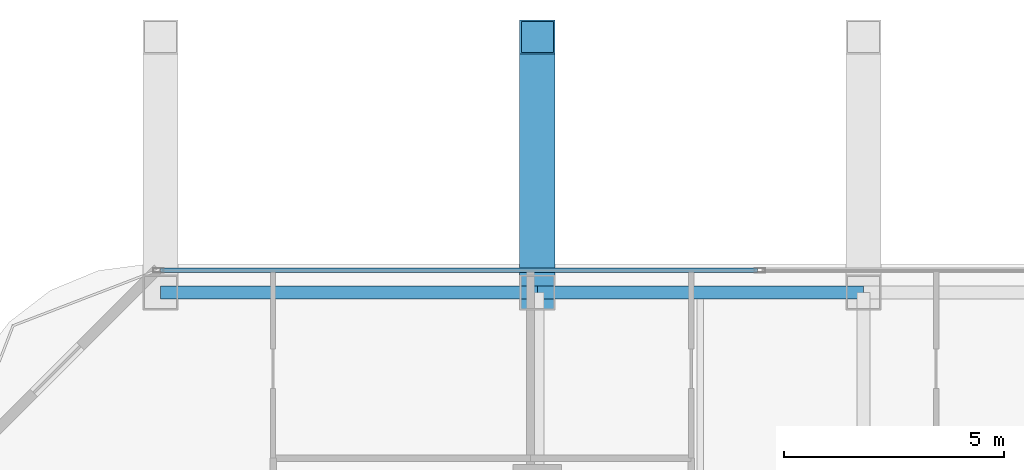
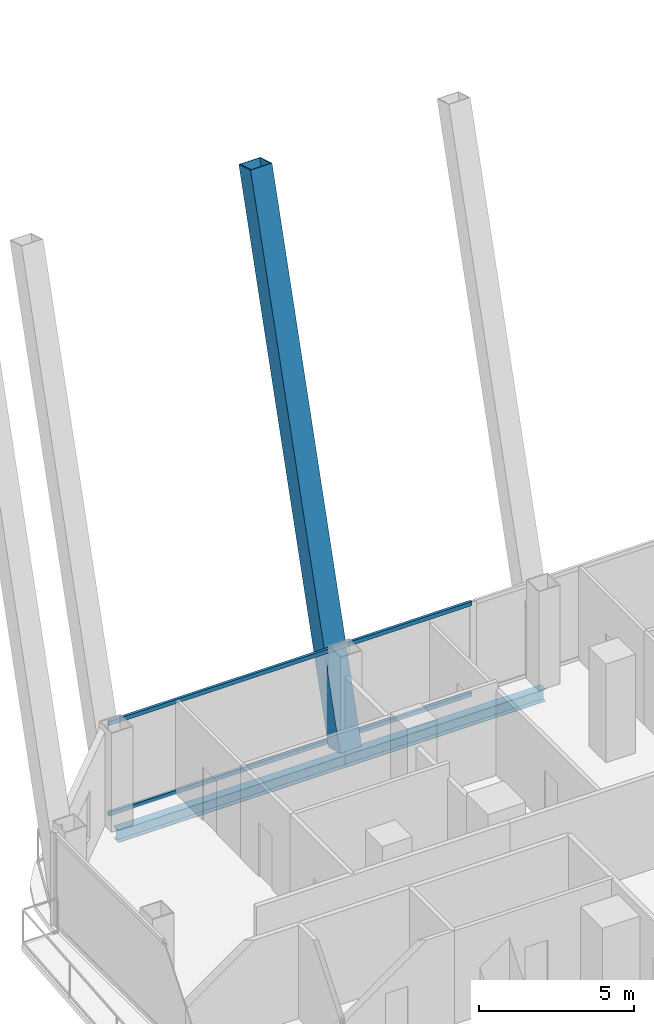
# One storey, part 16 of 33: 3 members, 2 beams, 1 element without a shape of its own.
"""IFC4 building model written with IfcOpenShell, lengths in metres."""

import ifcopenshell
import ifcopenshell.guid

model = None  # the IFC model being written
_history = None  # IfcOwnerHistory: only IFC2X3 demands one
_inside = {}  # id of a spatial element -> (the spatial element, [elements in it])
_under = {}  # id of a project, library or spatial element -> (it, [spatial elements below it])
_declared = {}  # id of a project -> (the project, [libraries it declares])
_typed = {}  # id of a type object -> (the type object, [elements of that type])
_made_of = {}  # id of a material, layer set ... -> (it, [elements and type objects made of it])


def new_model(schema):
    """Start an empty IFC model of exactly this schema.

    Asked for "IFC4X3", IfcOpenShell would pick the latest addendum, in which some entities
    have other attributes; the version numbers below select the first issue.
    IFC2X3 requires an IfcOwnerHistory on every rooted entity: one is made here for all.
    """
    global model, _history
    if schema == "IFC4X3":
        model = ifcopenshell.file(schema_version=(4, 3, 0, 0))
    else:
        model = ifcopenshell.file(schema=schema)
    _inside.clear()
    _under.clear()
    _declared.clear()
    _typed.clear()
    _made_of.clear()
    _history = None
    if model.schema == "IFC2X3":
        org = make("IfcOrganization", Name="unknown")
        user = make(
            "IfcPersonAndOrganization",
            ThePerson=make("IfcPerson", FamilyName="unknown"),
            TheOrganization=org,
        )
        app = make(
            "IfcApplication",
            ApplicationDeveloper=org,
            Version="unknown",
            ApplicationFullName="unknown",
            ApplicationIdentifier="unknown",
        )
        _history = make(
            "IfcOwnerHistory",
            OwningUser=user,
            OwningApplication=app,
            ChangeAction="ADDED",
            CreationDate=0,
        )
    return model


def make(cls, **values):
    """One entity of the class cls with the attributes given. An attribute that is None is left unset."""
    return model.create_entity(
        cls, **{name: value for name, value in values.items() if value is not None}
    )


def rooted(cls, **values):
    """An entity with a GlobalId (a new one), such as an element, a storey or a relation."""
    return make(cls, GlobalId=ifcopenshell.guid.new(), OwnerHistory=_history, **values)


def si_unit(unit_type, name, prefix=None):
    """IfcSIUnit, for example si_unit("LENGTHUNIT", "METRE", prefix="MILLI")."""
    return make("IfcSIUnit", UnitType=unit_type, Prefix=prefix, Name=name)


def assignment(units):
    """IfcUnitAssignment: the units of a project."""
    return None if units is None else make("IfcUnitAssignment", Units=units)


def point(xyz):
    """IfcCartesianPoint."""
    return None if xyz is None else make("IfcCartesianPoint", Coordinates=xyz)


def direction(xyz):
    """IfcDirection."""
    return None if xyz is None else make("IfcDirection", DirectionRatios=xyz)


def frame(location, z_axis=None, x_axis=None):
    """IfcAxis2Placement3D, a coordinate frame: its origin and axes. An axis left out is left unset."""
    return make(
        "IfcAxis2Placement3D",
        Location=point(location),
        Axis=direction(z_axis),
        RefDirection=direction(x_axis),
    )


def frame_2d(location, x_axis=None):
    """IfcAxis2Placement2D, a coordinate frame in the plane: its origin and x axis."""
    return make(
        "IfcAxis2Placement2D", Location=point(location), RefDirection=direction(x_axis)
    )


def origin():
    """The frame at (0, 0, 0) with its axes left unset."""
    return frame((0.0, 0.0, 0.0))


def origin_2d():
    """The frame at (0, 0) in the plane with its x axis left unset."""
    return frame_2d((0.0, 0.0))


def place(relative_to, where):
    """IfcLocalPlacement: puts the frame where relative to a parent placement (None: the world)."""
    return make(
        "IfcLocalPlacement", PlacementRelTo=relative_to, RelativePlacement=where
    )


def context(
    kind, dimensions, precision=None, world=None, true_north=None, identifier=None
):
    """IfcGeometricRepresentationContext, for example the 3D "Model" context."""
    return make(
        "IfcGeometricRepresentationContext",
        ContextIdentifier=identifier,
        ContextType=kind,
        CoordinateSpaceDimension=dimensions,
        Precision=precision,
        WorldCoordinateSystem=world,
        TrueNorth=true_north,
    )


def subcontext(parent, identifier, kind, view, scale=None):
    """IfcGeometricRepresentationSubContext, for example "Body" below "Model"."""
    return make(
        "IfcGeometricRepresentationSubContext",
        ContextIdentifier=identifier,
        ContextType=kind,
        ParentContext=parent,
        TargetScale=scale,
        TargetView=view,
    )


def project(units=None, contexts=None):
    """IfcProject with its units and contexts."""
    return rooted(
        "IfcProject",
        Name="project",
        RepresentationContexts=contexts,
        UnitsInContext=assignment(units),
    )


def spatial(cls, under=None, at=None, **own):
    """A site, building, storey or space (cls), placed at a placement, below another one or the project."""
    s = rooted(cls, ObjectPlacement=at, **own)
    if under is not None:
        _under.setdefault(under.id(), (under, []))[1].append(s)
    return s


def profile(cls, at=None, kind="AREA", **sizes):
    """A parametric profile (cls). Its sizes go by their IFC names, for example OverallWidth=200.0."""
    return make(cls, ProfileType=kind, Position=at, **sizes)


def hollow_rectangle(**sizes):
    """IfcRectangleHollowProfileDef."""
    return profile("IfcRectangleHollowProfileDef", **sizes)


def i_section(**sizes):
    """IfcIShapeProfileDef."""
    return profile("IfcIShapeProfileDef", **sizes)


def extrude(swept, where, along, depth):
    """IfcExtrudedAreaSolid: the profile swept, set in the frame where, extruded along a direction by depth."""
    return make(
        "IfcExtrudedAreaSolid",
        SweptArea=swept,
        Position=where,
        ExtrudedDirection=direction(along),
        Depth=depth,
    )


def shape(context_of_items, identifier, shape_type, items):
    """IfcShapeRepresentation: the items that make up one representation, for example the "Body"."""
    return make(
        "IfcShapeRepresentation",
        ContextOfItems=context_of_items,
        RepresentationIdentifier=identifier,
        RepresentationType=shape_type,
        Items=items,
    )


def material(Name=None, Category=None):
    """IfcMaterial."""
    return make("IfcMaterial", Name=Name, Category=Category)


def layer(
    of_material, thickness, ventilated=None, Name=None, Category=None, Priority=None
):
    """IfcMaterialLayer: one layer of a wall or slab, of a material (None: an air gap)."""
    return make(
        "IfcMaterialLayer",
        Material=of_material,
        LayerThickness=thickness,
        IsVentilated=ventilated,
        Name=Name,
        Category=Category,
        Priority=Priority,
    )


def layer_set(layers, Name=None):
    """IfcMaterialLayerSet."""
    return make("IfcMaterialLayerSet", MaterialLayers=layers, LayerSetName=Name)


def material_profile(
    of_material, cross_section, Name=None, Category=None, Priority=None
):
    """IfcMaterialProfile: a cross section and its material."""
    return make(
        "IfcMaterialProfile",
        Name=Name,
        Material=of_material,
        Profile=cross_section,
        Priority=Priority,
        Category=Category,
    )


def profile_set(profiles, Name=None, composite=None):
    """IfcMaterialProfileSet."""
    return make(
        "IfcMaterialProfileSet",
        Name=Name,
        MaterialProfiles=profiles,
        CompositeProfile=composite,
    )


def made_of(thing, what):
    """Note that an element or type object is made of a material, layer set ...; save() writes the relation."""
    if what is not None:
        _made_of.setdefault(what.id(), (what, []))[1].append(thing)
    return thing


def type_object(cls, material=None, **own):
    """A type object (cls), such as IfcWallType, which elements share."""
    return made_of(rooted(cls, **own), material)


def element(
    cls,
    number,
    at=None,
    inside=None,
    cuts=None,
    type_object=None,
    material=None,
    context=None,
    identifier="Body",
    shape_type=None,
    held_by="IfcProductDefinitionShape",
    body=None,
    shapes=None,
    **own,
):
    """One element of the class cls, such as IfcWall. Its Tag is "e" and its number.

    at: its placement. inside: the storey or other place that contains it. cuts: it is an
    opening in that element (IfcRelVoidsElement). A single representation is given by context,
    identifier, shape_type and body (its items); several are given by shapes. held_by: the class
    of the entity that holds the representations. save() writes the other relations.
    """
    e = rooted(cls, Tag="e%d" % number, ObjectPlacement=at, **own)
    if body is not None:
        shapes = [shape(context, identifier, shape_type, body)]
    if shapes is not None:
        e.Representation = make(held_by, Representations=shapes)
    if inside is not None:
        _inside.setdefault(inside.id(), (inside, []))[1].append(e)
    if cuts is not None:
        rooted(
            "IfcRelVoidsElement", RelatingBuildingElement=cuts, RelatedOpeningElement=e
        )
    if type_object is not None:
        _typed.setdefault(type_object.id(), (type_object, []))[1].append(e)
    return made_of(e, material)


def aggregate(whole, parts):
    """IfcRelAggregates: a whole, such as a stair, and the parts it consists of."""
    return rooted("IfcRelAggregates", RelatingObject=whole, RelatedObjects=parts)


def save(model, path):
    """Write the relations noted so far, then the file.

    IfcRelAggregates (storeys below a building ...), IfcRelContainedInSpatialStructure (elements
    in a storey), IfcRelDefinesByType, IfcRelAssociatesMaterial and IfcRelDeclares: one each for
    every whole, place, type object, material and project.
    """
    for whole, parts in _under.values():
        aggregate(whole, parts)
    for where, things in _inside.values():
        rooted(
            "IfcRelContainedInSpatialStructure",
            RelatedElements=things,
            RelatingStructure=where,
        )
    for kind, things in _typed.values():
        rooted("IfcRelDefinesByType", RelatedObjects=things, RelatingType=kind)
    for what, things in _made_of.values():
        rooted("IfcRelAssociatesMaterial", RelatedObjects=things, RelatingMaterial=what)
    for by, libraries in _declared.values():
        rooted("IfcRelDeclares", RelatingContext=by, RelatedDefinitions=libraries)
    model.write(path)


model = new_model("IFC4")

# Units and contexts
model_context = context("Model", 3, precision=1e-05, world=origin(), true_north=direction((0.0, 1.0)))
body_context = subcontext(model_context, "Body", "Model", "MODEL_VIEW")
ifc_project = project(units=[si_unit("LENGTHUNIT", "METRE"), si_unit("AREAUNIT", "SQUARE_METRE"), si_unit("VOLUMEUNIT", "CUBIC_METRE"), si_unit("PLANEANGLEUNIT", "RADIAN"), si_unit("MASSUNIT", "GRAM", prefix="KILO")], contexts=[model_context])

# Site, building, storey
site_placement = place(None, origin())
site = spatial("IfcSite", under=ifc_project, at=site_placement, CompositionType="ELEMENT")
building_placement = place(site_placement, origin())
building = spatial("IfcBuilding", under=site, at=building_placement, Name="Khorvyn Point Tower", CompositionType="ELEMENT")
storey_placement = place(building_placement, frame((0.0, 0.0, 65.699951171875)))
storey = spatial("IfcBuildingStorey", under=building, at=storey_placement, Name="L17", CompositionType="ELEMENT", Elevation=65.699951171875)

# Curtain wall, members
ifc_material_1 = material(Name="Anodised aluminium 6063-T6 and laminated Low-E glass", Category="aluminium")
ifc_layer = layer(ifc_material_1, 0.18994140625)
ifc_layer_set = layer_set([ifc_layer], Name="Stick-Built Finned Residential Curtain Wall CW-SYS-02")
curtain_wall_type = type_object("IfcCurtainWallType", Name="Stick-Built Finned Residential Curtain Wall CW-SYS-02", PredefinedType="NOTDEFINED", material=ifc_layer_set)
curtain_wall_placement = place(storey_placement, origin())
curtain_wall = element("IfcCurtainWall", 1, at=curtain_wall_placement, inside=storey, type_object=curtain_wall_type, Name="Curtain Wall", PredefinedType="NOTDEFINED")
ifc_material_2 = material(Name="Anodised aluminium 6063-T6", Category="aluminium")
ifc_material_profile_1 = material_profile(ifc_material_2, hollow_rectangle(XDim=0.10009765625, YDim=0.159912109375, WallThickness=0.00439453125, at=origin_2d()))
ifc_profile_set_1 = profile_set([ifc_material_profile_1], Name="Anodised aluminium 6063-T6 ALU-TRN-100x160")
member_type_1 = type_object("IfcMemberType", Name="Anodised Aluminium 6063-T6 Transom ALU-TRN-100x160", PredefinedType="USERDEFINED", material=ifc_profile_set_1)
member_1_placement = place(storey_placement, frame((-23.35009765625, 25.050048828125, 0.050048828125), z_axis=(1.0, 0.0, 0.0), x_axis=(0.0, 1.0, 0.0)))
member_1 = element("IfcMember", 2, at=member_1_placement, type_object=member_type_1, Name="Transom", ObjectType="TRANSOM", PredefinedType="USERDEFINED", context=body_context, shape_type="SweptSolid", body=[
    extrude(hollow_rectangle(XDim=0.10009765625, YDim=0.159912109375, WallThickness=0.00439453125, at=origin_2d()), origin(), (0.0, 0.0, 1.0), 13.550048828125),
])
member_2_placement = place(storey_placement, frame((-23.35009765625, 25.050048828125, 3.630126953125), z_axis=(1.0, 0.0, 0.0), x_axis=(0.0, 1.0, 0.0)))
member_2 = element("IfcMember", 3, at=member_2_placement, type_object=member_type_1, Name="Transom", ObjectType="TRANSOM", PredefinedType="USERDEFINED", context=body_context, shape_type="SweptSolid", body=[
    extrude(hollow_rectangle(XDim=0.10009765625, YDim=0.159912109375, WallThickness=0.00439453125, at=origin_2d()), origin(), (0.0, 0.0, 1.0), 13.550048828125),
])
aggregate(curtain_wall, [member_1, member_2])

# Beams
ifc_material_3 = material(Name="Steel S355", Category="steel")
ifc_material_profile_2 = material_profile(ifc_material_3, i_section(OverallWidth=0.300048828125, OverallDepth=0.488037109375, WebThickness=0.010986328125, FlangeThickness=0.01806640625, at=origin_2d()))
ifc_profile_set_2 = profile_set([ifc_material_profile_2], Name="Steel S355 H488x300x11x18")
beam_type = type_object("IfcBeamType", Name="Steel S355 Spandrel H488x300x11x18", PredefinedType="SPANDREL", material=ifc_profile_set_2)
beam_1_placement = place(storey_placement, frame((-23.35009765625, 24.550048828125, -0.4638671875), z_axis=(1.0, 0.0, 0.0), x_axis=(0.0, 1.0, 0.0)))
element("IfcBeam", 4, at=beam_1_placement, inside=storey, type_object=beam_type, Name="Beam", PredefinedType="SPANDREL", context=body_context, shape_type="SweptSolid", body=[
    extrude(i_section(OverallWidth=0.300048828125, OverallDepth=0.488037109375, WebThickness=0.010986328125, FlangeThickness=0.01806640625, at=origin_2d()), origin(), (0.0, 0.0, 1.0), 8.550048828125),
])
beam_2_placement = place(storey_placement, frame((-14.800048828125, 24.550048828125, -0.4638671875), z_axis=(1.0, 0.0, 0.0), x_axis=(0.0, 1.0, 0.0)))
element("IfcBeam", 5, at=beam_2_placement, inside=storey, type_object=beam_type, Name="Beam", PredefinedType="SPANDREL", context=body_context, shape_type="SweptSolid", body=[
    extrude(i_section(OverallWidth=0.300048828125, OverallDepth=0.488037109375, WebThickness=0.010986328125, FlangeThickness=0.01806640625, at=origin_2d()), origin(), (0.0, 0.0, 1.0), 7.400146484375),
])

# Member
ifc_material_4 = material(Name="Steel S450", Category="steel")
ifc_material_profile_3 = material_profile(ifc_material_4, hollow_rectangle(XDim=0.800048828125, YDim=0.800048828125, WallThickness=0.035888671875, at=origin_2d()))
ifc_profile_set_3 = profile_set([ifc_material_profile_3], Name="Steel S450 BOX800x800x36")
member_type_2 = type_object("IfcMemberType", Name="Steel S450 Exoskeleton Structural Post BOX800x800x36", PredefinedType="POST", material=ifc_profile_set_3)
member_3_placement = place(storey_placement, frame((-14.800048828125, 24.550048828125, 0.0), z_axis=(0.0, 0.285094530681, 0.958499404578), x_axis=(-1.0, 0.0, 0.0)))
element("IfcMember", 6, at=member_3_placement, inside=storey, type_object=member_type_2, Name="L17 to L21 Exoskeleton Transfer Post 07", PredefinedType="POST", context=body_context, shape_type="SweptSolid", body=[
    extrude(hollow_rectangle(XDim=0.800048828125, YDim=0.800048828125, WallThickness=0.035888671875, at=origin_2d()), origin(), (0.0, 0.0, 1.0), 20.34423828125),
])

save(model, "model.ifc")
